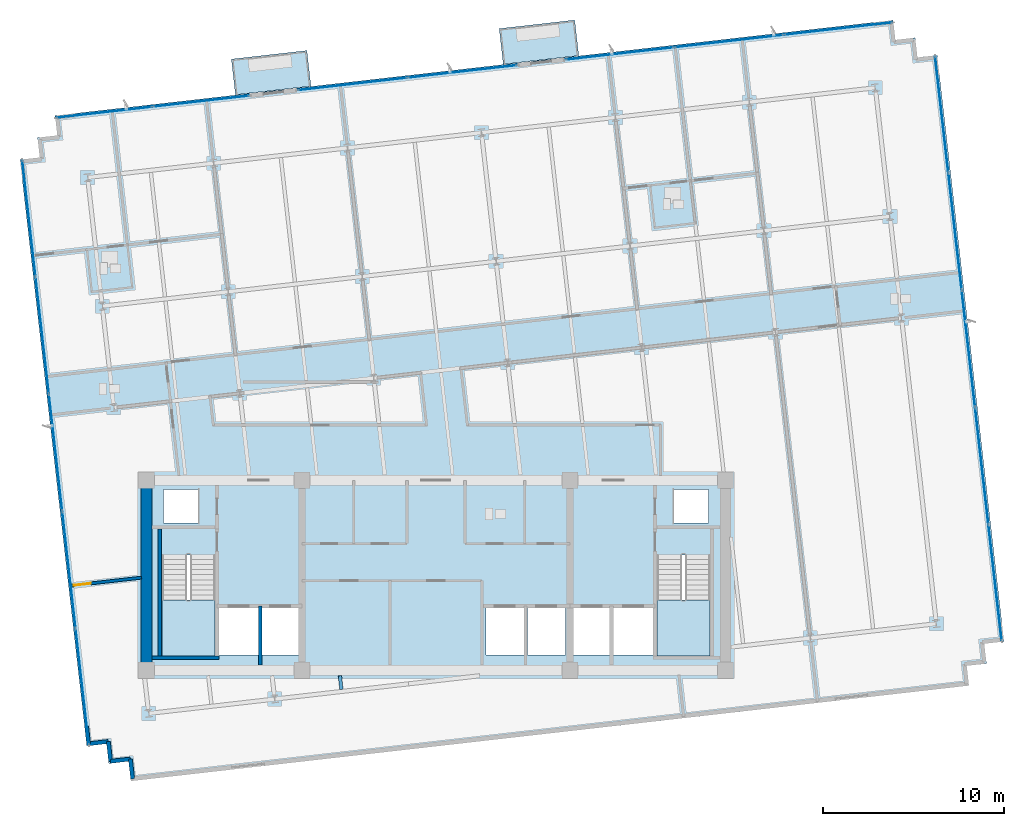
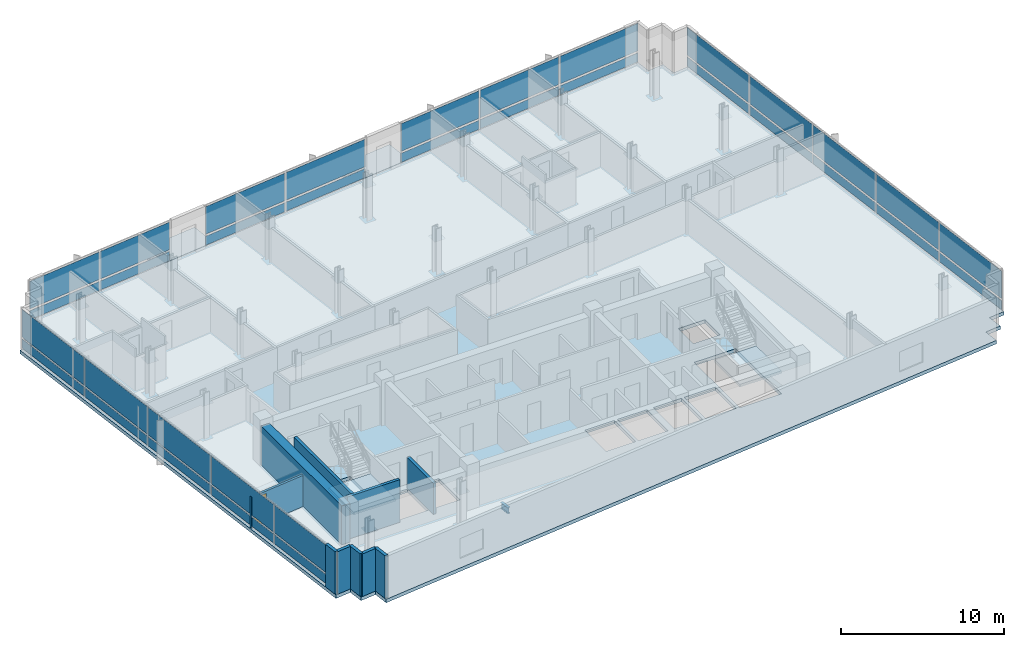
# One storey, part 7 of 15: 34 plates, 10 walls, 5 slabs, 1 beam, 1 door, 1 opening, 7 elements without a shape of their own.
"""IFC4 building model written with IfcOpenShell, lengths in metres."""

from ifc_helpers import new_model, si_unit, direction, frame, frame_2d, origin, origin_2d, place, context, subcontext, project, spatial, polyline, rectangle, i_section, outline, extrude, material, layer, layer_set, material_profile, profile_set, type_object, element, fill, aggregate, save


model = new_model("IFC4")

# Units and contexts
model_context = context("Model", 3, precision=1e-05, world=origin(), true_north=direction((0.0, 1.0)))
body_context = subcontext(model_context, "Body", "Model", "MODEL_VIEW")
ifc_project = project(units=[si_unit("LENGTHUNIT", "METRE"), si_unit("AREAUNIT", "SQUARE_METRE"), si_unit("VOLUMEUNIT", "CUBIC_METRE"), si_unit("PLANEANGLEUNIT", "RADIAN"), si_unit("MASSUNIT", "GRAM", prefix="KILO")], contexts=[model_context])

# Site, building, storey
site_placement = place(None, origin())
site = spatial("IfcSite", under=ifc_project, at=site_placement, CompositionType="ELEMENT")
building_placement = place(site_placement, origin())
building = spatial("IfcBuilding", under=site, at=building_placement, Name="Solmavex Isthmus Hotel", CompositionType="ELEMENT")
storey_placement = place(building_placement, frame((0.0, 0.0, 229.64990234375)))
storey = spatial("IfcBuildingStorey", under=building, at=storey_placement, Name="L62", CompositionType="ELEMENT", Elevation=229.64990234375)

# Beam
ifc_material_1 = material(Name="Steel ASTM A992 Grade 50", Category="steel")
ifc_material_profile = material_profile(ifc_material_1, i_section(OverallWidth=0.1904296875, OverallDepth=0.456787109375, WebThickness=0.009033203125, FlangeThickness=0.014404296875, FilletRadius=0.0126953125, at=origin_2d()), Name="W18X50")
ifc_profile_set = profile_set([ifc_material_profile], Name="Steel ASTM A992 Grade 50")
beam_type = type_object("IfcBeamType", Name="BM-BJ-W18X50", PredefinedType="JOIST", material=ifc_profile_set)
beam_placement = place(storey_placement, frame((-5.2236328125, -14.05419921875, -0.48828125), z_axis=(-0.112902470797, 0.993606074905, 0.0), x_axis=(-0.993606074905, -0.112902470797, 0.0)))
element("IfcBeam", 1, at=beam_placement, inside=storey, type_object=beam_type, Name="Secondary Floor Joist L62-J05", PredefinedType="JOIST", context=body_context, shape_type="SweptSolid", body=[
    extrude(i_section(OverallWidth=0.1904296875, OverallDepth=0.456787109375, WebThickness=0.009033203125, FlangeThickness=0.014404296875, FilletRadius=0.0126953125, at=origin_2d()), origin(), (0.0, 0.0, 1.0), 0.759033203125),
])

# Curtain wall, plates
ifc_material_2 = material(Name="Aluminium alloy 6063-T6", Category="aluminium")
curtain_wall_type = type_object("IfcCurtainWallType", Name="CW-SYS-04", PredefinedType="NOTDEFINED", material=ifc_material_2)
curtain_wall_1_placement = place(storey_placement, origin())
curtain_wall_1 = element("IfcCurtainWall", 2, at=curtain_wall_1_placement, inside=storey, type_object=curtain_wall_type, Name="Stick Curtain Wall CWL-L62-N1", PredefinedType="NOTDEFINED")
ifc_material_3 = material(Name="Clear low-E laminated glass", Category="glass")
ifc_layer_1 = layer(ifc_material_3, 0.033935546875)
ifc_layer_set_1 = layer_set([ifc_layer_1], Name="Clear low-E laminated glass")
plate_type = type_object("IfcPlateType", Name="CW-SYS-04-PNL", PredefinedType="CURTAIN_PANEL", material=ifc_layer_set_1)
plate_1_placement = place(storey_placement, frame((-18.322021484375, 17.832763671875, 0.14990234375), z_axis=(0.0, 0.0, 1.0), x_axis=(0.993571901125, 0.113202814871, 0.0)))
plate_1 = element("IfcPlate", 3, at=plate_1_placement, type_object=plate_type, Name="CW-04 panel 1.1", PredefinedType="CURTAIN_PANEL", context=body_context, shape_type="SweptSolid", body=[
    extrude(rectangle(XDim=5.302978515625, YDim=0.033935546875, at=origin_2d()), origin(), (0.0, 0.0, 1.0), 0.675048828125),
])
plate_2_placement = place(storey_placement, frame((-18.322021484375, 17.832763671875, 0.97509765625), z_axis=(0.0, 0.0, 1.0), x_axis=(0.993571901125, 0.113202814871, 0.0)))
plate_2 = element("IfcPlate", 4, at=plate_2_placement, type_object=plate_type, Name="CW-04 panel 1.2", PredefinedType="CURTAIN_PANEL", context=body_context, shape_type="SweptSolid", body=[
    extrude(rectangle(XDim=5.302978515625, YDim=0.033935546875, at=origin_2d()), origin(), (0.0, 0.0, 1.0), 2.06494140625),
])
plate_3_placement = place(storey_placement, frame((-12.978515625, 18.441650390625, 0.14990234375), z_axis=(0.0, 0.0, 1.0), x_axis=(0.993571901125, 0.113202814871, 0.0)))
plate_3 = element("IfcPlate", 5, at=plate_3_placement, type_object=plate_type, Name="CW-04 panel 2.1", PredefinedType="CURTAIN_PANEL", context=body_context, shape_type="SweptSolid", body=[
    extrude(rectangle(XDim=5.302978515625, YDim=0.033935546875, at=origin_2d()), origin(), (0.0, 0.0, 1.0), 0.675048828125),
])
plate_4_placement = place(storey_placement, frame((-12.978515625, 18.441650390625, 0.97509765625), z_axis=(0.0, 0.0, 1.0), x_axis=(0.993571901125, 0.113202814871, 0.0)))
plate_4 = element("IfcPlate", 6, at=plate_4_placement, type_object=plate_type, Name="CW-04 panel 2.2", PredefinedType="CURTAIN_PANEL", context=body_context, shape_type="SweptSolid", body=[
    extrude(rectangle(XDim=5.302978515625, YDim=0.033935546875, at=origin_2d()), origin(), (0.0, 0.0, 1.0), 2.06494140625),
])
aggregate(curtain_wall_1, [plate_1, plate_2, plate_3, plate_4])

curtain_wall_2_placement = place(storey_placement, origin())
curtain_wall_2 = element("IfcCurtainWall", 7, at=curtain_wall_2_placement, inside=storey, type_object=curtain_wall_type, Name="Stick Curtain Wall CWL-L62-N2", PredefinedType="NOTDEFINED")
plate_5_placement = place(storey_placement, frame((-4.6142578125, 19.39453125, 0.14990234375), z_axis=(0.0, 0.0, 1.0), x_axis=(0.993571896348, 0.113202856801, 0.0)))
plate_5 = element("IfcPlate", 8, at=plate_5_placement, type_object=plate_type, Name="CW-04 panel 1.1", PredefinedType="CURTAIN_PANEL", context=body_context, shape_type="SweptSolid", body=[
    extrude(rectangle(XDim=6.033447265625, YDim=0.033935546875, at=origin_2d()), origin(), (0.0, 0.0, 1.0), 0.675048828125),
])
plate_6_placement = place(storey_placement, frame((-4.6142578125, 19.39453125, 0.97509765625), z_axis=(0.0, 0.0, 1.0), x_axis=(0.993571896348, 0.113202856801, 0.0)))
plate_6 = element("IfcPlate", 9, at=plate_6_placement, type_object=plate_type, Name="CW-04 panel 1.2", PredefinedType="CURTAIN_PANEL", context=body_context, shape_type="SweptSolid", body=[
    extrude(rectangle(XDim=6.033447265625, YDim=0.033935546875, at=origin_2d()), origin(), (0.0, 0.0, 1.0), 2.06494140625),
])
plate_7_placement = place(storey_placement, frame((1.454833984375, 20.086181640625, 0.14990234375), z_axis=(0.0, 0.0, 1.0), x_axis=(0.993571896348, 0.113202856801, 0.0)))
plate_7 = element("IfcPlate", 10, at=plate_7_placement, type_object=plate_type, Name="CW-04 panel 2.1", PredefinedType="CURTAIN_PANEL", context=body_context, shape_type="SweptSolid", body=[
    extrude(rectangle(XDim=6.033447265625, YDim=0.033935546875, at=origin_2d()), origin(), (0.0, 0.0, 1.0), 0.675048828125),
])
plate_8_placement = place(storey_placement, frame((1.454833984375, 20.086181640625, 0.97509765625), z_axis=(0.0, 0.0, 1.0), x_axis=(0.993571896348, 0.113202856801, 0.0)))
plate_8 = element("IfcPlate", 11, at=plate_8_placement, type_object=plate_type, Name="CW-04 panel 2.2", PredefinedType="CURTAIN_PANEL", context=body_context, shape_type="SweptSolid", body=[
    extrude(rectangle(XDim=6.033447265625, YDim=0.033935546875, at=origin_2d()), origin(), (0.0, 0.0, 1.0), 2.06494140625),
])
aggregate(curtain_wall_2, [plate_5, plate_6, plate_7, plate_8])

curtain_wall_3_placement = place(storey_placement, origin())
curtain_wall_3 = element("IfcCurtainWall", 12, at=curtain_wall_3_placement, inside=storey, type_object=curtain_wall_type, Name="Stick Curtain Wall CWL-L62-N3", PredefinedType="NOTDEFINED")
plate_9_placement = place(storey_placement, frame((10.1552734375, 21.077392578125, 0.14990234375), z_axis=(0.0, 0.0, 1.0), x_axis=(0.99357182379, 0.113203493636, 0.0)))
plate_9 = element("IfcPlate", 13, at=plate_9_placement, type_object=plate_type, Name="CW-04 panel 1.1", PredefinedType="CURTAIN_PANEL", context=body_context, shape_type="SweptSolid", body=[
    extrude(rectangle(XDim=5.979736328125, YDim=0.033935546875, at=origin_2d()), origin(), (0.0, 0.0, 1.0), 0.675048828125),
])
plate_10_placement = place(storey_placement, frame((10.1552734375, 21.077392578125, 0.97509765625), z_axis=(0.0, 0.0, 1.0), x_axis=(0.99357182379, 0.113203493636, 0.0)))
plate_10 = element("IfcPlate", 14, at=plate_10_placement, type_object=plate_type, Name="CW-04 panel 1.2", PredefinedType="CURTAIN_PANEL", context=body_context, shape_type="SweptSolid", body=[
    extrude(rectangle(XDim=5.979736328125, YDim=0.033935546875, at=origin_2d()), origin(), (0.0, 0.0, 1.0), 2.06494140625),
])
plate_11_placement = place(storey_placement, frame((16.189697265625, 21.764892578125, 0.14990234375), z_axis=(0.0, 0.0, 1.0), x_axis=(0.99357182379, 0.113203493636, 0.0)))
plate_11 = element("IfcPlate", 15, at=plate_11_placement, type_object=plate_type, Name="CW-04 panel 2.1", PredefinedType="CURTAIN_PANEL", context=body_context, shape_type="SweptSolid", body=[
    extrude(rectangle(XDim=6.017333984375, YDim=0.033935546875, at=origin_2d()), origin(), (0.0, 0.0, 1.0), 0.675048828125),
])
plate_12_placement = place(storey_placement, frame((16.189697265625, 21.764892578125, 0.97509765625), z_axis=(0.0, 0.0, 1.0), x_axis=(0.99357182379, 0.113203493636, 0.0)))
plate_12 = element("IfcPlate", 16, at=plate_12_placement, type_object=plate_type, Name="CW-04 panel 2.2", PredefinedType="CURTAIN_PANEL", context=body_context, shape_type="SweptSolid", body=[
    extrude(rectangle(XDim=6.017333984375, YDim=0.033935546875, at=origin_2d()), origin(), (0.0, 0.0, 1.0), 2.06494140625),
])
plate_13_placement = place(storey_placement, frame((22.224365234375, 22.45263671875, 0.14990234375), z_axis=(0.0, 0.0, 1.0), x_axis=(0.99357182379, 0.113203493636, 0.0)))
plate_13 = element("IfcPlate", 17, at=plate_13_placement, type_object=plate_type, Name="CW-04 panel 3.1", PredefinedType="CURTAIN_PANEL", context=body_context, shape_type="SweptSolid", body=[
    extrude(rectangle(XDim=5.979736328125, YDim=0.033935546875, at=origin_2d()), origin(), (0.0, 0.0, 1.0), 0.675048828125),
])
plate_14_placement = place(storey_placement, frame((22.224365234375, 22.45263671875, 0.97509765625), z_axis=(0.0, 0.0, 1.0), x_axis=(0.99357182379, 0.113203493636, 0.0)))
plate_14 = element("IfcPlate", 18, at=plate_14_placement, type_object=plate_type, Name="CW-04 panel 3.2", PredefinedType="CURTAIN_PANEL", context=body_context, shape_type="SweptSolid", body=[
    extrude(rectangle(XDim=5.979736328125, YDim=0.033935546875, at=origin_2d()), origin(), (0.0, 0.0, 1.0), 2.06494140625),
])
aggregate(curtain_wall_3, [plate_9, plate_10, plate_11, plate_12, plate_13, plate_14])

curtain_wall_4_placement = place(storey_placement, origin())
curtain_wall_4 = element("IfcCurtainWall", 19, at=curtain_wall_4_placement, inside=storey, type_object=curtain_wall_type, Name="Stick Curtain Wall CWL-L62-W1", PredefinedType="NOTDEFINED")
plate_15_placement = place(storey_placement, frame((-19.542724609375, -13.91064453125, 0.14990234375), z_axis=(0.0, 0.0, 1.0), x_axis=(-0.11320338078, 0.993571836648, 0.0)))
plate_15 = element("IfcPlate", 20, at=plate_15_placement, type_object=plate_type, Name="CW-04 panel 1.1", PredefinedType="CURTAIN_PANEL", context=body_context, shape_type="SweptSolid", body=[
    extrude(rectangle(XDim=6.407470703125, YDim=0.033935546875, at=origin_2d()), origin(), (0.0, 0.0, 1.0), 0.675048828125),
])
plate_16_placement = place(storey_placement, frame((-19.542724609375, -13.91064453125, 0.97509765625), z_axis=(0.0, 0.0, 1.0), x_axis=(-0.11320338078, 0.993571836648, 0.0)))
plate_16 = element("IfcPlate", 21, at=plate_16_placement, type_object=plate_type, Name="CW-04 panel 1.2", PredefinedType="CURTAIN_PANEL", context=body_context, shape_type="SweptSolid", body=[
    extrude(rectangle(XDim=6.407470703125, YDim=0.033935546875, at=origin_2d()), origin(), (0.0, 0.0, 1.0), 2.06494140625),
])
plate_17_placement = place(storey_placement, frame((-20.27880859375, -7.451171875, 0.14990234375), z_axis=(0.0, 0.0, 1.0), x_axis=(-0.11320338078, 0.993571836648, 0.0)))
plate_17 = element("IfcPlate", 22, at=plate_17_placement, type_object=plate_type, Name="CW-04 panel 2.1", PredefinedType="CURTAIN_PANEL", context=body_context, shape_type="SweptSolid", body=[
    extrude(rectangle(XDim=6.445068359375, YDim=0.033935546875, at=origin_2d()), origin(), (0.0, 0.0, 1.0), 0.675048828125),
])
plate_18_placement = place(storey_placement, frame((-20.27880859375, -7.451171875, 0.97509765625), z_axis=(0.0, 0.0, 1.0), x_axis=(-0.11320338078, 0.993571836648, 0.0)))
plate_18 = element("IfcPlate", 23, at=plate_18_placement, type_object=plate_type, Name="CW-04 panel 2.2", PredefinedType="CURTAIN_PANEL", context=body_context, shape_type="SweptSolid", body=[
    extrude(rectangle(XDim=6.445068359375, YDim=0.033935546875, at=origin_2d()), origin(), (0.0, 0.0, 1.0), 2.06494140625),
])
plate_19_placement = place(storey_placement, frame((-21.016845703125, -0.97314453125, 0.14990234375), z_axis=(0.0, 0.0, 1.0), x_axis=(-0.11320338078, 0.993571836648, 0.0)))
plate_19 = element("IfcPlate", 24, at=plate_19_placement, type_object=plate_type, Name="CW-04 panel 3.1", PredefinedType="CURTAIN_PANEL", context=body_context, shape_type="SweptSolid", body=[
    extrude(rectangle(XDim=6.445068359375, YDim=0.033935546875, at=origin_2d()), origin(), (0.0, 0.0, 1.0), 0.675048828125),
])
plate_20_placement = place(storey_placement, frame((-21.016845703125, -0.97314453125, 0.97509765625), z_axis=(0.0, 0.0, 1.0), x_axis=(-0.11320338078, 0.993571836648, 0.0)))
plate_20 = element("IfcPlate", 25, at=plate_20_placement, type_object=plate_type, Name="CW-04 panel 3.2", PredefinedType="CURTAIN_PANEL", context=body_context, shape_type="SweptSolid", body=[
    extrude(rectangle(XDim=6.445068359375, YDim=0.033935546875, at=origin_2d()), origin(), (0.0, 0.0, 1.0), 2.06494140625),
])
plate_21_placement = place(storey_placement, frame((-21.7548828125, 5.5048828125, 0.14990234375), z_axis=(0.0, 0.0, 1.0), x_axis=(-0.11320338078, 0.993571836648, 0.0)))
plate_21 = element("IfcPlate", 26, at=plate_21_placement, type_object=plate_type, Name="CW-04 panel 4.1", PredefinedType="CURTAIN_PANEL", context=body_context, shape_type="SweptSolid", body=[
    extrude(rectangle(XDim=6.445068359375, YDim=0.033935546875, at=origin_2d()), origin(), (0.0, 0.0, 1.0), 0.675048828125),
])
plate_22_placement = place(storey_placement, frame((-21.7548828125, 5.5048828125, 0.97509765625), z_axis=(0.0, 0.0, 1.0), x_axis=(-0.11320338078, 0.993571836648, 0.0)))
plate_22 = element("IfcPlate", 27, at=plate_22_placement, type_object=plate_type, Name="CW-04 panel 4.2", PredefinedType="CURTAIN_PANEL", context=body_context, shape_type="SweptSolid", body=[
    extrude(rectangle(XDim=6.445068359375, YDim=0.033935546875, at=origin_2d()), origin(), (0.0, 0.0, 1.0), 2.06494140625),
])
plate_23_placement = place(storey_placement, frame((-22.490966796875, 11.96435546875, 0.14990234375), z_axis=(0.0, 0.0, 1.0), x_axis=(-0.11320338078, 0.993571836648, 0.0)))
plate_23 = element("IfcPlate", 28, at=plate_23_placement, type_object=plate_type, Name="CW-04 panel 5.1", PredefinedType="CURTAIN_PANEL", context=body_context, shape_type="SweptSolid", body=[
    extrude(rectangle(XDim=6.407470703125, YDim=0.033935546875, at=origin_2d()), origin(), (0.0, 0.0, 1.0), 0.675048828125),
])
plate_24_placement = place(storey_placement, frame((-22.490966796875, 11.96435546875, 0.97509765625), z_axis=(0.0, 0.0, 1.0), x_axis=(-0.11320338078, 0.993571836648, 0.0)))
plate_24 = element("IfcPlate", 29, at=plate_24_placement, type_object=plate_type, Name="CW-04 panel 5.2", PredefinedType="CURTAIN_PANEL", context=body_context, shape_type="SweptSolid", body=[
    extrude(rectangle(XDim=6.407470703125, YDim=0.033935546875, at=origin_2d()), origin(), (0.0, 0.0, 1.0), 2.06494140625),
])
aggregate(curtain_wall_4, [plate_15, plate_16, plate_17, plate_18, plate_19, plate_20, plate_21, plate_22, plate_23, plate_24])

curtain_wall_5_placement = place(storey_placement, origin())
curtain_wall_5 = element("IfcCurtainWall", 30, at=curtain_wall_5_placement, inside=storey, type_object=curtain_wall_type, Name="Stick Curtain Wall CWL-L62-E1", PredefinedType="NOTDEFINED")
plate_25_placement = place(storey_placement, frame((30.890869140625, -8.16455078125, 0.14990234375), z_axis=(0.0, 0.0, 1.0), x_axis=(-0.11320338078, 0.993571836648, 0.0)))
plate_25 = element("IfcPlate", 31, at=plate_25_placement, type_object=plate_type, Name="CW-04 panel 1.1", PredefinedType="CURTAIN_PANEL", context=body_context, shape_type="SweptSolid", body=[
    extrude(rectangle(XDim=6.407470703125, YDim=0.033935546875, at=origin_2d()), origin(), (0.0, 0.0, 1.0), 0.675048828125),
])
plate_26_placement = place(storey_placement, frame((30.890869140625, -8.16455078125, 0.97509765625), z_axis=(0.0, 0.0, 1.0), x_axis=(-0.11320338078, 0.993571836648, 0.0)))
plate_26 = element("IfcPlate", 32, at=plate_26_placement, type_object=plate_type, Name="CW-04 panel 1.2", PredefinedType="CURTAIN_PANEL", context=body_context, shape_type="SweptSolid", body=[
    extrude(rectangle(XDim=6.407470703125, YDim=0.033935546875, at=origin_2d()), origin(), (0.0, 0.0, 1.0), 2.06494140625),
])
plate_27_placement = place(storey_placement, frame((30.155029296875, -1.705078125, 0.14990234375), z_axis=(0.0, 0.0, 1.0), x_axis=(-0.11320338078, 0.993571836648, 0.0)))
plate_27 = element("IfcPlate", 33, at=plate_27_placement, type_object=plate_type, Name="CW-04 panel 2.1", PredefinedType="CURTAIN_PANEL", context=body_context, shape_type="SweptSolid", body=[
    extrude(rectangle(XDim=6.445068359375, YDim=0.033935546875, at=origin_2d()), origin(), (0.0, 0.0, 1.0), 0.675048828125),
])
plate_28_placement = place(storey_placement, frame((30.155029296875, -1.705078125, 0.97509765625), z_axis=(0.0, 0.0, 1.0), x_axis=(-0.11320338078, 0.993571836648, 0.0)))
plate_28 = element("IfcPlate", 34, at=plate_28_placement, type_object=plate_type, Name="CW-04 panel 2.2", PredefinedType="CURTAIN_PANEL", context=body_context, shape_type="SweptSolid", body=[
    extrude(rectangle(XDim=6.445068359375, YDim=0.033935546875, at=origin_2d()), origin(), (0.0, 0.0, 1.0), 2.06494140625),
])
plate_29_placement = place(storey_placement, frame((29.416748046875, 4.773193359375, 0.14990234375), z_axis=(0.0, 0.0, 1.0), x_axis=(-0.11320338078, 0.993571836648, 0.0)))
plate_29 = element("IfcPlate", 35, at=plate_29_placement, type_object=plate_type, Name="CW-04 panel 3.1", PredefinedType="CURTAIN_PANEL", context=body_context, shape_type="SweptSolid", body=[
    extrude(rectangle(XDim=6.445068359375, YDim=0.033935546875, at=origin_2d()), origin(), (0.0, 0.0, 1.0), 0.675048828125),
])
plate_30_placement = place(storey_placement, frame((29.416748046875, 4.773193359375, 0.97509765625), z_axis=(0.0, 0.0, 1.0), x_axis=(-0.11320338078, 0.993571836648, 0.0)))
plate_30 = element("IfcPlate", 36, at=plate_30_placement, type_object=plate_type, Name="CW-04 panel 3.2", PredefinedType="CURTAIN_PANEL", context=body_context, shape_type="SweptSolid", body=[
    extrude(rectangle(XDim=6.445068359375, YDim=0.033935546875, at=origin_2d()), origin(), (0.0, 0.0, 1.0), 2.06494140625),
])
plate_31_placement = place(storey_placement, frame((28.6787109375, 11.251220703125, 0.14990234375), z_axis=(0.0, 0.0, 1.0), x_axis=(-0.11320338078, 0.993571836648, 0.0)))
plate_31 = element("IfcPlate", 37, at=plate_31_placement, type_object=plate_type, Name="CW-04 panel 4.1", PredefinedType="CURTAIN_PANEL", context=body_context, shape_type="SweptSolid", body=[
    extrude(rectangle(XDim=6.445068359375, YDim=0.033935546875, at=origin_2d()), origin(), (0.0, 0.0, 1.0), 0.675048828125),
])
plate_32_placement = place(storey_placement, frame((28.6787109375, 11.251220703125, 0.97509765625), z_axis=(0.0, 0.0, 1.0), x_axis=(-0.11320338078, 0.993571836648, 0.0)))
plate_32 = element("IfcPlate", 38, at=plate_32_placement, type_object=plate_type, Name="CW-04 panel 4.2", PredefinedType="CURTAIN_PANEL", context=body_context, shape_type="SweptSolid", body=[
    extrude(rectangle(XDim=6.445068359375, YDim=0.033935546875, at=origin_2d()), origin(), (0.0, 0.0, 1.0), 2.06494140625),
])
plate_33_placement = place(storey_placement, frame((27.94287109375, 17.710693359375, 0.14990234375), z_axis=(0.0, 0.0, 1.0), x_axis=(-0.11320338078, 0.993571836648, 0.0)))
plate_33 = element("IfcPlate", 39, at=plate_33_placement, type_object=plate_type, Name="CW-04 panel 5.1", PredefinedType="CURTAIN_PANEL", context=body_context, shape_type="SweptSolid", body=[
    extrude(rectangle(XDim=6.407470703125, YDim=0.033935546875, at=origin_2d()), origin(), (0.0, 0.0, 1.0), 0.675048828125),
])
plate_34_placement = place(storey_placement, frame((27.94287109375, 17.710693359375, 0.97509765625), z_axis=(0.0, 0.0, 1.0), x_axis=(-0.11320338078, 0.993571836648, 0.0)))
plate_34 = element("IfcPlate", 40, at=plate_34_placement, type_object=plate_type, Name="CW-04 panel 5.2", PredefinedType="CURTAIN_PANEL", context=body_context, shape_type="SweptSolid", body=[
    extrude(rectangle(XDim=6.407470703125, YDim=0.033935546875, at=origin_2d()), origin(), (0.0, 0.0, 1.0), 2.06494140625),
])
aggregate(curtain_wall_5, [plate_25, plate_26, plate_27, plate_28, plate_29, plate_30, plate_31, plate_32, plate_33, plate_34])

# Slabs
ifc_material_4 = material(Name="Concrete C40/50", Category="concrete")
ifc_layer_2 = layer(ifc_material_4, 0.239990234375)
ifc_layer_set_2 = layer_set([ifc_layer_2], Name="Concrete C40/50")
slab_type_1 = type_object("IfcSlabType", Name="SLAB-BALC-240", PredefinedType="FLOOR", material=ifc_layer_set_2)
slab_1_placement = place(storey_placement, frame((0.0, 0.0, -0.239990234375)))
element("IfcSlab", 41, at=slab_1_placement, inside=storey, type_object=slab_type_1, Name="Tree-Planter Balcony Slab L62-B1", PredefinedType="FLOOR", context=body_context, shape_type="SweptSolid", body=[
    extrude(outline(polyline([(-11.07958984375, 18.7939453125), (-6.90673828125, 19.269287109375), (-7.13134765625, 21.24169921875), (-11.304443359375, 20.76611328125), (-11.07958984375, 18.7939453125)])), origin(), (0.0, 0.0, 1.0), 0.239990234375),
])
slab_2_placement = place(storey_placement, frame((0.0, 0.0, -0.239990234375)))
element("IfcSlab", 42, at=slab_2_placement, inside=storey, type_object=slab_type_1, Name="Tree-Planter Balcony Slab L62-B2", PredefinedType="FLOOR", context=body_context, shape_type="SweptSolid", body=[
    extrude(outline(polyline([(3.716552734375, 20.479736328125), (7.8896484375, 20.955078125), (7.664794921875, 22.927490234375), (3.491943359375, 22.451904296875), (3.716552734375, 20.479736328125)])), origin(), (0.0, 0.0, 1.0), 0.239990234375),
])
ifc_layer_3 = layer(ifc_material_4, 0.260009765625)
ifc_layer_set_3 = layer_set([ifc_layer_3], Name="Concrete C40/50")
slab_type_2 = type_object("IfcSlabType", Name="SLAB-TYP-260", PredefinedType="FLOOR", material=ifc_layer_set_3)
slab_3_placement = place(storey_placement, frame((0.0, 0.0, -0.260009765625)))
element("IfcSlab", 43, at=slab_3_placement, inside=storey, type_object=slab_type_2, Name="Tower Structural Floor Slab L62", PredefinedType="FLOOR", context=body_context, shape_type="SweptSolid", body=[
    extrude(outline(polyline([(-15.762939453125, -18.994140625), (28.3515625, -13.968017578125), (29.444580078125, -13.843505859375), (29.320068359375, -12.75048828125), (30.412841796875, -12.6259765625), (30.288330078125, -11.532958984375), (31.38134765625, -11.408447265625), (31.2568359375, -10.315673828125), (27.8154296875, 19.888916015625), (27.69091796875, 20.98193359375), (26.597900390625, 20.857421875), (26.473388671875, 21.9501953125), (25.38037109375, 21.82568359375), (25.255859375, 22.918701171875), (24.1630859375, 22.794189453125), (-19.95166015625, 17.76806640625), (-21.04443359375, 17.6435546875), (-20.919921875, 16.550537109375), (-22.012939453125, 16.426025390625), (-21.888427734375, 15.3330078125), (-22.981201171875, 15.20849609375), (-22.856689453125, 14.11572265625), (-19.415283203125, -16.0888671875), (-19.290771484375, -17.181884765625), (-18.197998046875, -17.057373046875), (-18.073486328125, -18.150390625), (-16.98046875, -18.02587890625), (-16.85595703125, -19.11865234375), (-15.762939453125, -18.994140625)]), holes=[polyline([(-15.14990234375, -6.617919921875), (-15.14990234375, -12.199951171875), (-12.199951171875, -12.199951171875), (-12.199951171875, -6.617919921875), (-15.14990234375, -6.617919921875)]), polyline([(12.199951171875, -6.617919921875), (12.199951171875, -12.199951171875), (15.14990234375, -12.199951171875), (15.14990234375, -6.617919921875), (12.199951171875, -6.617919921875)]), polyline([(-12.0, -12.14990234375), (-9.800048828125, -12.14990234375), (-9.800048828125, -9.550048828125), (-12.0, -9.550048828125), (-12.0, -12.14990234375)]), polyline([(9.800048828125, -12.14990234375), (12.0, -12.14990234375), (12.0, -9.550048828125), (9.800048828125, -9.550048828125), (9.800048828125, -12.14990234375)]), polyline([(-9.60009765625, -12.14990234375), (-7.60009765625, -12.14990234375), (-7.60009765625, -9.550048828125), (-9.60009765625, -9.550048828125), (-9.60009765625, -12.14990234375)]), polyline([(7.60009765625, -12.14990234375), (9.60009765625, -12.14990234375), (9.60009765625, -9.550048828125), (7.60009765625, -9.550048828125), (7.60009765625, -12.14990234375)]), polyline([(2.75, -12.14990234375), (4.85009765625, -12.14990234375), (4.85009765625, -9.550048828125), (2.75, -9.550048828125), (2.75, -12.14990234375)]), polyline([(5.050048828125, -12.14990234375), (7.14990234375, -12.14990234375), (7.14990234375, -9.550048828125), (5.050048828125, -9.550048828125), (5.050048828125, -12.14990234375)]), polyline([(-15.050048828125, -4.85009765625), (-13.14990234375, -4.85009765625), (-13.14990234375, -3.0), (-15.050048828125, -3.0), (-15.050048828125, -4.85009765625)]), polyline([(13.14990234375, -4.85009765625), (15.050048828125, -4.85009765625), (15.050048828125, -3.0), (13.14990234375, -3.0), (13.14990234375, -4.85009765625)])]), origin(), (0.0, 0.0, 1.0), 0.260009765625),
])

# Stair, slab
stair_type_1 = type_object("IfcStairType", Name="STR-ST-1", PredefinedType="HALF_TURN_STAIR", material=ifc_material_4)
stair_1_placement = place(storey_placement, origin())
stair_1 = element("IfcStair", 44, at=stair_1_placement, inside=storey, type_object=stair_type_1, Name="L62 Protected Exit Stair ST-1", PredefinedType="HALF_TURN_STAIR")
ifc_layer_4 = layer(ifc_material_4, 0.219970703125)
ifc_layer_set_4 = layer_set([ifc_layer_4], Name="Concrete C40/50")
slab_type_3 = type_object("IfcSlabType", Name="SLD-ST-1", PredefinedType="LANDING", material=ifc_layer_set_4)
slab_4_placement = place(storey_placement, frame((0.0, 0.0, 1.525146484375)))
slab_4 = element("IfcSlab", 45, at=slab_4_placement, type_object=slab_type_3, Name="ST-1 landing 1", PredefinedType="LANDING", context=body_context, shape_type="SweptSolid", body=[
    extrude(outline(polyline([(-15.14990234375, -9.1201171875), (-15.14990234375, -12.199951171875), (-12.199951171875, -12.199951171875), (-12.199951171875, -9.1201171875), (-15.14990234375, -9.1201171875)])), origin(), (0.0, 0.0, 1.0), 0.199951171875),
])
aggregate(stair_1, [slab_4])

stair_type_2 = type_object("IfcStairType", Name="STR-ST-2", PredefinedType="HALF_TURN_STAIR", material=ifc_material_4)
stair_2_placement = place(storey_placement, origin())
stair_2 = element("IfcStair", 46, at=stair_2_placement, inside=storey, type_object=stair_type_2, Name="L62 Protected Exit Stair ST-2", PredefinedType="HALF_TURN_STAIR")
ifc_layer_5 = layer(ifc_material_4, 0.219970703125)
ifc_layer_set_5 = layer_set([ifc_layer_5], Name="Concrete C40/50")
slab_type_4 = type_object("IfcSlabType", Name="SLD-ST-2", PredefinedType="LANDING", material=ifc_layer_set_5)
slab_5_placement = place(storey_placement, frame((0.0, 0.0, 1.525146484375)))
slab_5 = element("IfcSlab", 47, at=slab_5_placement, type_object=slab_type_4, Name="ST-2 landing 1", PredefinedType="LANDING", context=body_context, shape_type="SweptSolid", body=[
    extrude(outline(polyline([(12.199951171875, -9.1201171875), (12.199951171875, -12.199951171875), (15.14990234375, -12.199951171875), (15.14990234375, -9.1201171875), (12.199951171875, -9.1201171875)])), origin(), (0.0, 0.0, 1.0), 0.199951171875),
])
aggregate(stair_2, [slab_5])

# Walls
ifc_material_5 = material(Name="Precast Concrete C40/50", Category="concrete")
ifc_layer_6 = layer(ifc_material_5, 0.25)
ifc_layer_set_6 = layer_set([ifc_layer_6], Name="Precast Concrete C40/50")
wall_type_1 = type_object("IfcWallType", Name="EW-TWR-250", PredefinedType="STANDARD", material=ifc_layer_set_6)
for number, where, z_axis, x_axis, name in (
    (48, (-16.759033203125, -18.9970703125, 0.0), (0.0, 0.0, 1.0), (-0.113183557839, 0.99357409499, 0.0), "Serrated Corner Facade Panel L62-01"),
    (49, (-16.883544921875, -17.904052734375, 0.0), (0.0, 0.0, 1.0), (-0.99357409499, -0.113183557839, 0.0), "Serrated Corner Facade Panel L62-02"),
    (50, (-17.9765625, -18.028564453125, 0.0), (0.0, 0.0, 1.0), (-0.113183557839, 0.99357409499, 0.0), "Serrated Corner Facade Panel L62-03"),
    (51, (-18.10107421875, -16.935546875, 0.0), (0.0, 0.0, 1.0), (-0.99357409499, -0.113183557839, 0.0), "Serrated Corner Facade Panel L62-04"),
):
    element("IfcWall", number, at=place(storey_placement, frame(where, z_axis=z_axis, x_axis=x_axis)), inside=storey, type_object=wall_type_1, Name=name, PredefinedType="STANDARD", context=body_context, shape_type="SweptSolid", body=[
        extrude(rectangle(XDim=1.10009765625, YDim=0.219970703125, at=frame_2d((0.550048828125, 0.0))), origin(), (0.0, 0.0, 1.0), 3.190185546875),
    ])
wall_1_placement = place(storey_placement, frame((-19.194091796875, -17.06005859375, 0.0), z_axis=(0.0, 0.0, 1.0), x_axis=(-0.113191877531, 0.993573147212, 0.0)))
element("IfcWall", 52, at=wall_1_placement, inside=storey, type_object=wall_type_1, Name="Serrated Corner Facade Panel L62-05", PredefinedType="STANDARD", context=body_context, shape_type="SweptSolid", body=[
    extrude(rectangle(XDim=0.989990234375, YDim=0.219970703125, at=frame_2d((0.4951171875, 0.0))), origin(), (0.0, 0.0, 1.0), 3.190185546875),
])

# Wall, opening, door
ifc_material_6 = material(Name="Gypsum plasterboard lining", Category="gypsum")
ifc_layer_7 = layer(ifc_material_6, 0.159912109375)
ifc_layer_set_7 = layer_set([ifc_layer_7], Name="Gypsum plasterboard lining")
wall_type_2 = type_object("IfcWallType", Name="IW-COMP-160", PredefinedType="PARTITIONING", material=ifc_layer_set_7)
wall_2_placement = place(storey_placement, frame((-16.26025390625, -7.879150390625, 0.0), z_axis=(0.0, 0.0, 1.0), x_axis=(-0.993575066155, -0.113175032204, 0.0)))
wall_2 = element("IfcWall", 53, at=wall_2_placement, inside=storey, type_object=wall_type_2, Name="Interior Partition Wall W-L62-P057", PredefinedType="PARTITIONING", context=body_context, shape_type="SweptSolid", body=[
    extrude(rectangle(XDim=3.984375, YDim=0.159912109375, at=frame_2d((1.9921875, 0.0))), origin(), (0.0, 0.0, 1.0), 2.3251953125),
])
opening_placement = place(wall_2_placement, frame((2.82421875, 0.0, 0.0)))
opening = element("IfcOpeningElement", 54, at=opening_placement, cuts=wall_2, Name="Opening ID-C095", PredefinedType="OPENING", context=body_context, shape_type="SweptSolid", body=[
    extrude(rectangle(XDim=0.949951171875, YDim=2.14990234375, at=frame_2d((0.47509765625, 1.074951171875))), frame((0.0, 0.08984375, 0.0), z_axis=(0.0, -1.0, 0.0), x_axis=(1.0, 0.0, 0.0)), (0.0, 0.0, 1.0), 0.179931640625),
])
ifc_material_7 = material(Name="Hardwood timber", Category="wood")
door_type = type_object("IfcDoorType", Name="IDR-FD60-0950", OperationType="NOTDEFINED", PredefinedType="DOOR", material=ifc_material_7)
door_placement = place(opening_placement, frame((0.949951171875, 0.0, 0.0), z_axis=(0.0, 0.0, 1.0), x_axis=(-1.0, 0.0, 0.0)))
door = element("IfcDoor", 55, at=door_placement, inside=storey, type_object=door_type, Name="Corporate Briefing Office Door L62-16", OperationType="SINGLE_SWING_RIGHT", OverallHeight=2.14990234375, OverallWidth=0.949951171875, PredefinedType="DOOR", context=body_context, shape_type="SweptSolid", body=[
    extrude(rectangle(XDim=0.949951171875, YDim=2.14990234375, at=frame_2d((0.47509765625, 1.074951171875))), frame((0.0, 0.02490234375, 0.0), z_axis=(0.0, -1.0, 0.0), x_axis=(1.0, 0.0, 0.0)), (0.0, 0.0, 1.0), 0.050048828125),
])
fill(opening, door)

# Walls
ifc_layer_8 = layer(ifc_material_4, 0.199951171875)
ifc_layer_set_8 = layer_set([ifc_layer_8], Name="Concrete C40/50")
wall_type_3 = type_object("IfcWallType", Name="IW-SHAFT-200", PredefinedType="PARTITIONING", material=ifc_layer_set_8)
wall_3_placement = place(storey_placement, frame((-9.699951171875, -12.699951171875, 0.0), z_axis=(0.0, 0.0, 1.0), x_axis=(0.0, 1.0, 0.0)))
element("IfcWall", 56, at=wall_3_placement, inside=storey, type_object=wall_type_3, Name="Interior Partition Wall W-L62-FFLW-M", PredefinedType="PARTITIONING", context=body_context, shape_type="SweptSolid", body=[
    extrude(rectangle(XDim=3.25, YDim=0.199951171875, at=frame_2d((1.625, 0.0))), origin(), (0.0, 0.0, 1.0), 2.3251953125),
])
ifc_material_8 = material(Name="Concrete C50/60", Category="concrete")
ifc_layer_9 = layer(ifc_material_8, 0.60009765625)
ifc_layer_set_9 = layer_set([ifc_layer_9], Name="Concrete C50/60")
wall_type_4 = type_object("IfcWallType", Name="WALL-CW-600", PredefinedType="SHEAR", material=ifc_layer_set_9)
wall_4_placement = place(storey_placement, frame((-16.0, -12.699951171875, 0.0), z_axis=(0.0, 0.0, 1.0), x_axis=(0.0, 1.0, 0.0)))
element("IfcWall", 57, at=wall_4_placement, inside=storey, type_object=wall_type_4, Name="Core Shear Wall West L62", PredefinedType="SHEAR", context=body_context, shape_type="SweptSolid", body=[
    extrude(rectangle(XDim=9.89990234375, YDim=0.60009765625, at=frame_2d((4.949951171875, 0.0))), origin(), (0.0, 0.0, 1.0), 2.91015625),
])
ifc_layer_10 = layer(ifc_material_4, 0.199951171875)
ifc_layer_set_10 = layer_set([ifc_layer_10], Name="Concrete C40/50")
wall_type_5 = type_object("IfcWallType", Name="WALL-SW-200", PredefinedType="SOLIDWALL", material=ifc_layer_set_10)
wall_5_placement = place(storey_placement, frame((-15.699951171875, -12.300048828125, 0.0), z_axis=(0.0, 0.0, 1.0), x_axis=(1.0, 0.0, 0.0)))
element("IfcWall", 58, at=wall_5_placement, inside=storey, type_object=wall_type_5, Name="Stairwell Structural Wall SW-L62-ST1-S", PredefinedType="SOLIDWALL", context=body_context, shape_type="SweptSolid", body=[
    extrude(rectangle(XDim=3.699951171875, YDim=0.199951171875, at=frame_2d((1.85009765625, 0.0))), origin(), (0.0, 0.0, 1.0), 3.190185546875),
])
wall_6_placement = place(storey_placement, frame((-15.25, -12.199951171875, 0.0), z_axis=(0.0, 0.0, 1.0), x_axis=(0.0, 1.0, 0.0)))
element("IfcWall", 59, at=wall_6_placement, inside=storey, type_object=wall_type_5, Name="Stairwell Structural Wall SW-L62-ST1-W", PredefinedType="SOLIDWALL", context=body_context, shape_type="SweptSolid", body=[
    extrude(rectangle(XDim=7.0, YDim=0.199951171875, at=frame_2d((3.5, 0.0))), origin(), (0.0, 0.0, 1.0), 3.190185546875),
])

save(model, "model.ifc")
